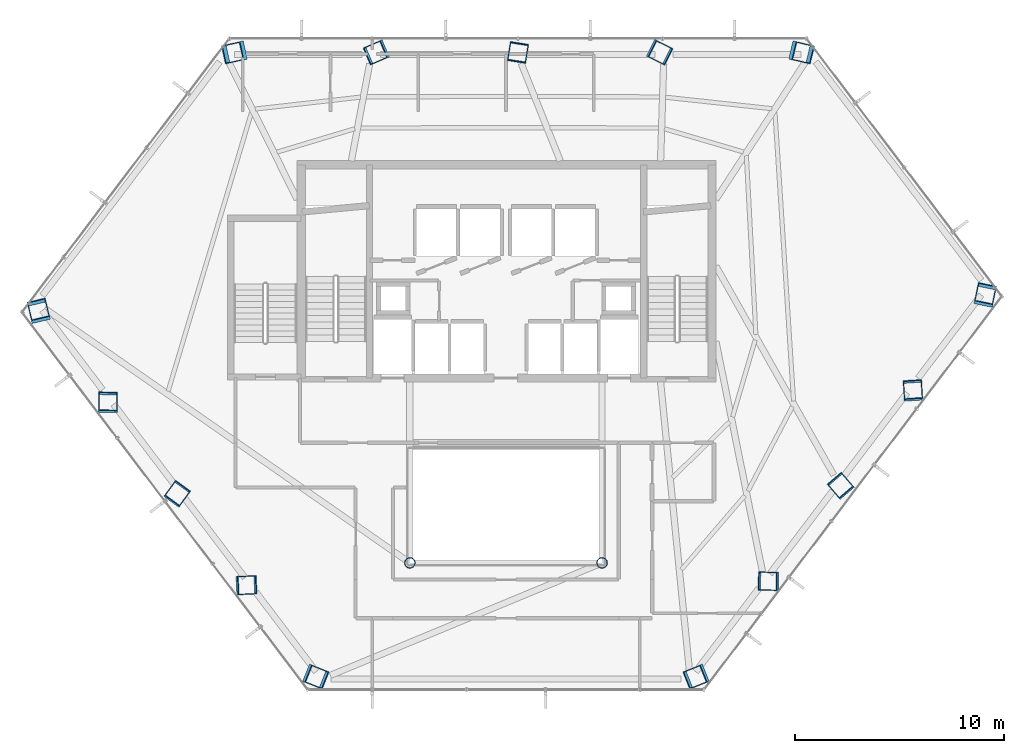
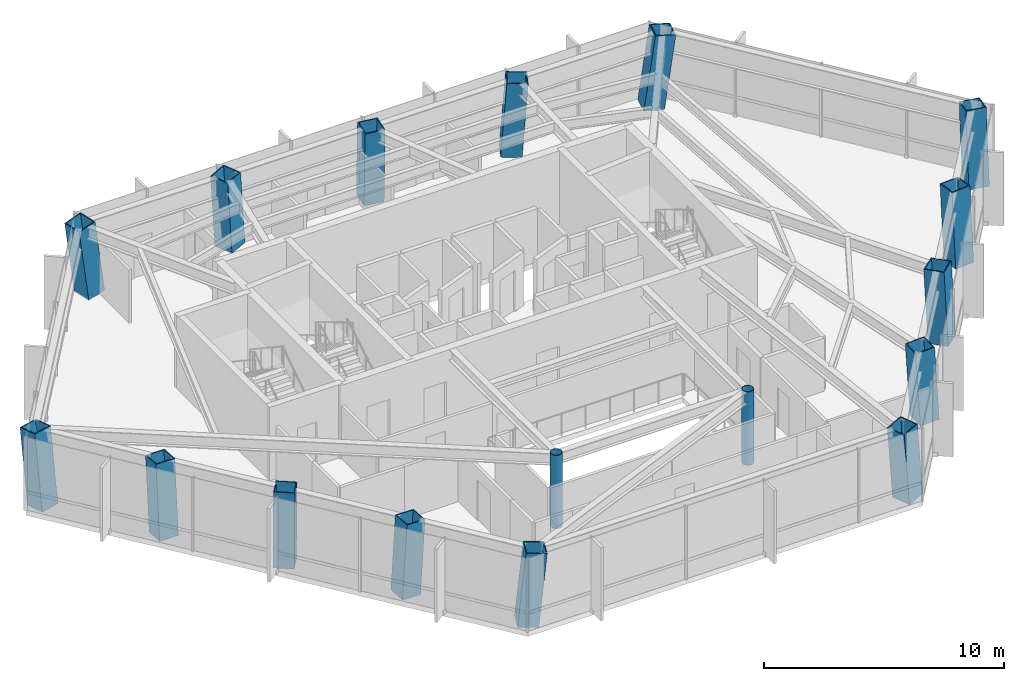
# One storey, part 1 of 25: 17 columns.
"""IFC4 building model written with IfcOpenShell, lengths in metres."""

from ifc_helpers import new_model, si_unit, direction, frame, origin, origin_2d, place, context, subcontext, project, spatial, hollow_rectangle, hollow_circle, extrude, material, material_profile, profile_set, type_object, element, save


model = new_model("IFC4")

# Units and contexts
model_context = context("Model", 3, precision=1e-05, world=origin(), true_north=direction((0.0, 1.0)))
body_context = subcontext(model_context, "Body", "Model", "MODEL_VIEW")
ifc_project = project(units=[si_unit("LENGTHUNIT", "METRE"), si_unit("AREAUNIT", "SQUARE_METRE"), si_unit("VOLUMEUNIT", "CUBIC_METRE"), si_unit("PLANEANGLEUNIT", "RADIAN"), si_unit("MASSUNIT", "GRAM", prefix="KILO")], contexts=[model_context])

# Site, building, storey
site_placement = place(None, origin())
site = spatial("IfcSite", under=ifc_project, at=site_placement, CompositionType="ELEMENT")
building_placement = place(site_placement, origin())
building = spatial("IfcBuilding", under=site, at=building_placement, Name="Zarrinselat Tower", CompositionType="ELEMENT")
storey_placement = place(building_placement, frame((0.0, 0.0, 105.06005859375)))
storey = spatial("IfcBuildingStorey", under=building, at=storey_placement, Name="L25", CompositionType="ELEMENT", Elevation=105.06005859375)

# Columns
ifc_material_1 = material(Name="Steel S355J2", Category="steel")
ifc_material_profile_1 = material_profile(ifc_material_1, hollow_circle(Radius=0.25390625, WallThickness=0.02001953125, at=origin_2d()), Name="CHS 508x20")
ifc_profile_set_1 = profile_set([ifc_material_profile_1], Name="Steel S355J2")
column_type_1 = type_object("IfcColumnType", Name="COL-CHS508", PredefinedType="COLUMN", material=ifc_profile_set_1)
for number, where, z_axis, x_axis, name in (
    (1, (33.800048828125, 24.39990234375, 0.0), (0.0, 0.0, 1.0), (1.0, 0.0, 0.0), "L25 Atrium Corner Column 1"),
    (2, (43.0, 24.39990234375, 0.0), (0.0, 0.0, 1.0), (1.0, 0.0, 0.0), "L25 Atrium Corner Column 2"),
):
    element("IfcColumn", number, at=place(storey_placement, frame(where, z_axis=z_axis, x_axis=x_axis)), inside=storey, type_object=column_type_1, Name=name, PredefinedType="COLUMN", context=body_context, shape_type="SweptSolid", body=[
        extrude(hollow_circle(Radius=0.25390625, WallThickness=0.02001953125, at=origin_2d()), origin(), (0.0, 0.0, 1.0), 3.72998046875),
    ])
ifc_material_2 = material(Name="Steel S460M", Category="steel")
ifc_material_profile_2 = material_profile(ifc_material_2, hollow_rectangle(XDim=0.89990234375, YDim=0.89990234375, WallThickness=0.044921875, at=origin_2d()), Name="SHS 900x900x45")
ifc_profile_set_2 = profile_set([ifc_material_profile_2], Name="Steel S460M")
column_type_2 = type_object("IfcColumnType", Name="COL-SHS900", PredefinedType="COLUMN", material=ifc_profile_set_2)
column_1_placement = place(storey_placement, frame((52.471435546875, 48.85009765625, 0.0), z_axis=(0.130438776547, -0.031004343704, 0.990971470954), x_axis=(0.231249884458, 0.972894388378, 0.0)))
element("IfcColumn", 3, at=column_1_placement, inside=storey, type_object=column_type_2, Name="L25 Framed-Tube Column T01", PredefinedType="COLUMN", context=body_context, shape_type="SweptSolid", body=[
    extrude(hollow_rectangle(XDim=0.89990234375, YDim=0.89990234375, WallThickness=0.044921875, at=origin_2d()), origin(), (0.0, 0.0, 1.0), 3.763916015625),
])
column_2_placement = place(storey_placement, frame((45.725341796875, 48.85009765625, 0.0), z_axis=(0.06313645448, -0.031209126413, 0.997516806146), x_axis=(0.443129924673, 0.896457399913, 0.0)))
element("IfcColumn", 4, at=column_2_placement, inside=storey, type_object=column_type_2, Name="L25 Framed-Tube Column T02", PredefinedType="COLUMN", context=body_context, shape_type="SweptSolid", body=[
    extrude(hollow_rectangle(XDim=0.89990234375, YDim=0.89990234375, WallThickness=0.044921875, at=origin_2d()), origin(), (0.0, 0.0, 1.0), 3.7392578125),
])
column_3_placement = place(storey_placement, frame((38.97900390625, 48.85009765625, 0.0), z_axis=(-0.00497197876, -0.031271129567, 0.999498572227), x_axis=(0.987594874064, -0.15702345278, 0.0)))
element("IfcColumn", 5, at=column_3_placement, inside=storey, type_object=column_type_2, Name="L25 Framed-Tube Column T03", PredefinedType="COLUMN", context=body_context, shape_type="SweptSolid", body=[
    extrude(hollow_rectangle(XDim=0.89990234375, YDim=0.89990234375, WallThickness=0.044921875, at=origin_2d()), origin(), (0.0, 0.0, 1.0), 3.73193359375),
])
column_4_placement = place(storey_placement, frame((32.23291015625, 48.85009765625, 0.0), z_axis=(-0.073076267852, -0.031187907173, 0.996838589503), x_axis=(0.392531312989, -0.919738641312, 0.0)))
element("IfcColumn", 6, at=column_4_placement, inside=storey, type_object=column_type_2, Name="L25 Framed-Tube Column T04", PredefinedType="COLUMN", context=body_context, shape_type="SweptSolid", body=[
    extrude(hollow_rectangle(XDim=0.89990234375, YDim=0.89990234375, WallThickness=0.044921875, at=origin_2d()), origin(), (0.0, 0.0, 1.0), 3.74169921875),
])
column_5_placement = place(storey_placement, frame((25.486572265625, 48.85009765625, 0.0), z_axis=(-0.140111029019, -0.030963047559, 0.989651549402), x_axis=(0.215783146828, -0.976441310855, 0.0)))
element("IfcColumn", 7, at=column_5_placement, inside=storey, type_object=column_type_2, Name="L25 Framed-Tube Column T05", PredefinedType="COLUMN", context=body_context, shape_type="SweptSolid", body=[
    extrude(hollow_rectangle(XDim=0.89990234375, YDim=0.89990234375, WallThickness=0.044921875, at=origin_2d()), origin(), (0.0, 0.0, 1.0), 3.76904296875),
])
column_6_placement = place(storey_placement, frame((16.052001953125, 36.39599609375, 0.0), z_axis=(-0.028003599428, 0.117602122889, 0.99266587486), x_axis=(-0.972800447658, -0.231644747481, 0.0)))
element("IfcColumn", 8, at=column_6_placement, inside=storey, type_object=column_type_2, Name="L25 Framed-Tube Column T06", PredefinedType="COLUMN", context=body_context, shape_type="SweptSolid", body=[
    extrude(hollow_rectangle(XDim=0.89990234375, YDim=0.89990234375, WallThickness=0.044921875, at=origin_2d()), origin(), (0.0, 0.0, 1.0), 3.757568359375),
])
column_7_placement = place(storey_placement, frame((19.351318359375, 32.041015625, 0.0), z_axis=(0.000978682971, 0.07966479387, 0.996821229106), x_axis=(-0.999924547777, 0.012284085354, 0.0)))
element("IfcColumn", 9, at=column_7_placement, inside=storey, type_object=column_type_2, Name="L25 Framed-Tube Column T07", PredefinedType="COLUMN", context=body_context, shape_type="SweptSolid", body=[
    extrude(hollow_rectangle(XDim=0.89990234375, YDim=0.89990234375, WallThickness=0.044921875, at=origin_2d()), origin(), (0.0, 0.0, 1.0), 3.741943359375),
])
column_8_placement = place(storey_placement, frame((22.650390625, 27.685791015625, 0.0), z_axis=(0.030199857553, 0.041377726906, 0.99868706426), x_axis=(-0.807741678923, 0.589536580825, 0.0)))
element("IfcColumn", 10, at=column_8_placement, inside=storey, type_object=column_type_2, Name="L25 Framed-Tube Column T08", PredefinedType="COLUMN", context=body_context, shape_type="SweptSolid", body=[
    extrude(hollow_rectangle(XDim=0.89990234375, YDim=0.89990234375, WallThickness=0.044921875, at=origin_2d()), origin(), (0.0, 0.0, 1.0), 3.73486328125),
])
column_9_placement = place(storey_placement, frame((25.94970703125, 23.330810546875, 0.0), z_axis=(0.059326933862, 0.002874873447, 0.998234466456), x_axis=(-0.048401355257, 0.998827967575, 0.0)))
element("IfcColumn", 11, at=column_9_placement, inside=storey, type_object=column_type_2, Name="L25 Framed-Tube Column T09", PredefinedType="COLUMN", context=body_context, shape_type="SweptSolid", body=[
    extrude(hollow_rectangle(XDim=0.89990234375, YDim=0.89990234375, WallThickness=0.044921875, at=origin_2d()), origin(), (0.0, 0.0, 1.0), 3.736572265625),
])
for number, where, z_axis, x_axis, name in (
    (12, (29.2490234375, 18.9755859375, 0.0), (0.088158041062, -0.035445657308, 0.995475647705), (0.37304533296, 0.927813116719, 0.0), "L25 Framed-Tube Column T10"),
    (13, (47.55078125, 18.9755859375, 0.0), (-0.08809338944, -0.03544586084, 0.995481363807), (0.37328281943, -0.927717595348, 0.0), "L25 Framed-Tube Column T11"),
):
    element("IfcColumn", number, at=place(storey_placement, frame(where, z_axis=z_axis, x_axis=x_axis)), inside=storey, type_object=column_type_2, Name=name, PredefinedType="COLUMN", context=body_context, shape_type="SweptSolid", body=[
        extrude(hollow_rectangle(XDim=0.89990234375, YDim=0.89990234375, WallThickness=0.044921875, at=origin_2d()), origin(), (0.0, 0.0, 1.0), 3.746826171875),
    ])
column_10_placement = place(storey_placement, frame((50.9951171875, 23.521728515625, 0.0), z_axis=(-0.060564048009, 0.001306667702, 0.998163457911), x_axis=(-0.02156995343, -0.99976734149, 0.0)))
element("IfcColumn", 14, at=column_10_placement, inside=storey, type_object=column_type_2, Name="L25 Framed-Tube Column T12", PredefinedType="COLUMN", context=body_context, shape_type="SweptSolid", body=[
    extrude(hollow_rectangle(XDim=0.89990234375, YDim=0.89990234375, WallThickness=0.044921875, at=origin_2d()), origin(), (0.0, 0.0, 1.0), 3.73681640625),
])
column_11_placement = place(storey_placement, frame((54.43896484375, 28.068115234375, 0.0), z_axis=(-0.032620301345, 0.038046123012, 0.998743414729), x_axis=(-0.759164519021, -0.650898788645, 0.0)))
element("IfcColumn", 15, at=column_11_placement, inside=storey, type_object=column_type_2, Name="L25 Framed-Tube Column T13", PredefinedType="COLUMN", context=body_context, shape_type="SweptSolid", body=[
    extrude(hollow_rectangle(XDim=0.89990234375, YDim=0.89990234375, WallThickness=0.044921875, at=origin_2d()), origin(), (0.0, 0.0, 1.0), 3.734619140625),
])
column_12_placement = place(storey_placement, frame((57.883056640625, 32.6142578125, 0.0), z_axis=(-0.004764695984, 0.074733930158, 0.997192126601), x_axis=(-0.99797379569, -0.06362627693, 0.0)))
element("IfcColumn", 16, at=column_12_placement, inside=storey, type_object=column_type_2, Name="L25 Framed-Tube Column T14", PredefinedType="COLUMN", context=body_context, shape_type="SweptSolid", body=[
    extrude(hollow_rectangle(XDim=0.89990234375, YDim=0.89990234375, WallThickness=0.044921875, at=origin_2d()), origin(), (0.0, 0.0, 1.0), 3.740478515625),
])
column_13_placement = place(storey_placement, frame((61.3271484375, 37.160400390625, 0.0), z_axis=(0.023020852721, 0.111137393503, 0.993538383811), x_axis=(-0.979213353021, 0.202832959022, 0.0)))
element("IfcColumn", 17, at=column_13_placement, inside=storey, type_object=column_type_2, Name="L25 Framed-Tube Column T15", PredefinedType="COLUMN", context=body_context, shape_type="SweptSolid", body=[
    extrude(hollow_rectangle(XDim=0.89990234375, YDim=0.89990234375, WallThickness=0.044921875, at=origin_2d()), origin(), (0.0, 0.0, 1.0), 3.754150390625),
])

save(model, "model.ifc")
